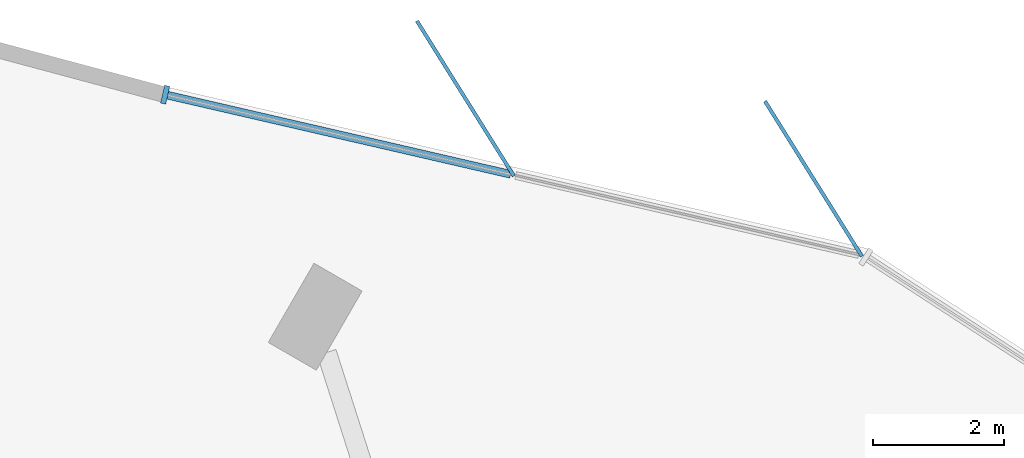
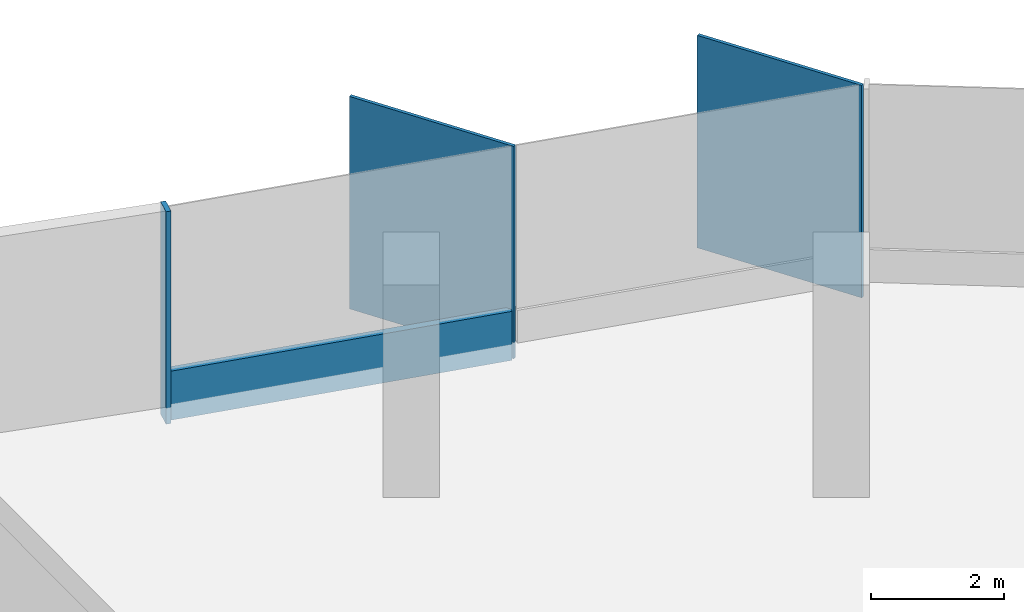
# One storey, part 6 of 13: 4 members, 1 element without a shape of its own.
"""IFC4 building model written with IfcOpenShell, lengths in metres."""

import ifcopenshell
import ifcopenshell.guid

model = None  # the IFC model being written
_history = None  # IfcOwnerHistory: only IFC2X3 demands one
_inside = {}  # id of a spatial element -> (the spatial element, [elements in it])
_under = {}  # id of a project, library or spatial element -> (it, [spatial elements below it])
_declared = {}  # id of a project -> (the project, [libraries it declares])
_typed = {}  # id of a type object -> (the type object, [elements of that type])
_made_of = {}  # id of a material, layer set ... -> (it, [elements and type objects made of it])


def new_model(schema):
    """Start an empty IFC model of exactly this schema.

    Asked for "IFC4X3", IfcOpenShell would pick the latest addendum, in which some entities
    have other attributes; the version numbers below select the first issue.
    IFC2X3 requires an IfcOwnerHistory on every rooted entity: one is made here for all.
    """
    global model, _history
    if schema == "IFC4X3":
        model = ifcopenshell.file(schema_version=(4, 3, 0, 0))
    else:
        model = ifcopenshell.file(schema=schema)
    _inside.clear()
    _under.clear()
    _declared.clear()
    _typed.clear()
    _made_of.clear()
    _history = None
    if model.schema == "IFC2X3":
        org = make("IfcOrganization", Name="unknown")
        user = make(
            "IfcPersonAndOrganization",
            ThePerson=make("IfcPerson", FamilyName="unknown"),
            TheOrganization=org,
        )
        app = make(
            "IfcApplication",
            ApplicationDeveloper=org,
            Version="unknown",
            ApplicationFullName="unknown",
            ApplicationIdentifier="unknown",
        )
        _history = make(
            "IfcOwnerHistory",
            OwningUser=user,
            OwningApplication=app,
            ChangeAction="ADDED",
            CreationDate=0,
        )
    return model


def make(cls, **values):
    """One entity of the class cls with the attributes given. An attribute that is None is left unset."""
    return model.create_entity(
        cls, **{name: value for name, value in values.items() if value is not None}
    )


def rooted(cls, **values):
    """An entity with a GlobalId (a new one), such as an element, a storey or a relation."""
    return make(cls, GlobalId=ifcopenshell.guid.new(), OwnerHistory=_history, **values)


def si_unit(unit_type, name, prefix=None):
    """IfcSIUnit, for example si_unit("LENGTHUNIT", "METRE", prefix="MILLI")."""
    return make("IfcSIUnit", UnitType=unit_type, Prefix=prefix, Name=name)


def assignment(units):
    """IfcUnitAssignment: the units of a project."""
    return None if units is None else make("IfcUnitAssignment", Units=units)


def point(xyz):
    """IfcCartesianPoint."""
    return None if xyz is None else make("IfcCartesianPoint", Coordinates=xyz)


def direction(xyz):
    """IfcDirection."""
    return None if xyz is None else make("IfcDirection", DirectionRatios=xyz)


def frame(location, z_axis=None, x_axis=None):
    """IfcAxis2Placement3D, a coordinate frame: its origin and axes. An axis left out is left unset."""
    return make(
        "IfcAxis2Placement3D",
        Location=point(location),
        Axis=direction(z_axis),
        RefDirection=direction(x_axis),
    )


def frame_2d(location, x_axis=None):
    """IfcAxis2Placement2D, a coordinate frame in the plane: its origin and x axis."""
    return make(
        "IfcAxis2Placement2D", Location=point(location), RefDirection=direction(x_axis)
    )


def origin():
    """The frame at (0, 0, 0) with its axes left unset."""
    return frame((0.0, 0.0, 0.0))


def origin_2d():
    """The frame at (0, 0) in the plane with its x axis left unset."""
    return frame_2d((0.0, 0.0))


def place(relative_to, where):
    """IfcLocalPlacement: puts the frame where relative to a parent placement (None: the world)."""
    return make(
        "IfcLocalPlacement", PlacementRelTo=relative_to, RelativePlacement=where
    )


def context(
    kind, dimensions, precision=None, world=None, true_north=None, identifier=None
):
    """IfcGeometricRepresentationContext, for example the 3D "Model" context."""
    return make(
        "IfcGeometricRepresentationContext",
        ContextIdentifier=identifier,
        ContextType=kind,
        CoordinateSpaceDimension=dimensions,
        Precision=precision,
        WorldCoordinateSystem=world,
        TrueNorth=true_north,
    )


def subcontext(parent, identifier, kind, view, scale=None):
    """IfcGeometricRepresentationSubContext, for example "Body" below "Model"."""
    return make(
        "IfcGeometricRepresentationSubContext",
        ContextIdentifier=identifier,
        ContextType=kind,
        ParentContext=parent,
        TargetScale=scale,
        TargetView=view,
    )


def project(units=None, contexts=None):
    """IfcProject with its units and contexts."""
    return rooted(
        "IfcProject",
        Name="project",
        RepresentationContexts=contexts,
        UnitsInContext=assignment(units),
    )


def spatial(cls, under=None, at=None, **own):
    """A site, building, storey or space (cls), placed at a placement, below another one or the project."""
    s = rooted(cls, ObjectPlacement=at, **own)
    if under is not None:
        _under.setdefault(under.id(), (under, []))[1].append(s)
    return s


def profile(cls, at=None, kind="AREA", **sizes):
    """A parametric profile (cls). Its sizes go by their IFC names, for example OverallWidth=200.0."""
    return make(cls, ProfileType=kind, Position=at, **sizes)


def rectangle(**sizes):
    """IfcRectangleProfileDef."""
    return profile("IfcRectangleProfileDef", **sizes)


def extrude(swept, where, along, depth):
    """IfcExtrudedAreaSolid: the profile swept, set in the frame where, extruded along a direction by depth."""
    return make(
        "IfcExtrudedAreaSolid",
        SweptArea=swept,
        Position=where,
        ExtrudedDirection=direction(along),
        Depth=depth,
    )


def shape(context_of_items, identifier, shape_type, items):
    """IfcShapeRepresentation: the items that make up one representation, for example the "Body"."""
    return make(
        "IfcShapeRepresentation",
        ContextOfItems=context_of_items,
        RepresentationIdentifier=identifier,
        RepresentationType=shape_type,
        Items=items,
    )


def material(Name=None, Category=None):
    """IfcMaterial."""
    return make("IfcMaterial", Name=Name, Category=Category)


def material_profile(
    of_material, cross_section, Name=None, Category=None, Priority=None
):
    """IfcMaterialProfile: a cross section and its material."""
    return make(
        "IfcMaterialProfile",
        Name=Name,
        Material=of_material,
        Profile=cross_section,
        Priority=Priority,
        Category=Category,
    )


def profile_set(profiles, Name=None, composite=None):
    """IfcMaterialProfileSet."""
    return make(
        "IfcMaterialProfileSet",
        Name=Name,
        MaterialProfiles=profiles,
        CompositeProfile=composite,
    )


def made_of(thing, what):
    """Note that an element or type object is made of a material, layer set ...; save() writes the relation."""
    if what is not None:
        _made_of.setdefault(what.id(), (what, []))[1].append(thing)
    return thing


def type_object(cls, material=None, **own):
    """A type object (cls), such as IfcWallType, which elements share."""
    return made_of(rooted(cls, **own), material)


def element(
    cls,
    number,
    at=None,
    inside=None,
    cuts=None,
    type_object=None,
    material=None,
    context=None,
    identifier="Body",
    shape_type=None,
    held_by="IfcProductDefinitionShape",
    body=None,
    shapes=None,
    **own,
):
    """One element of the class cls, such as IfcWall. Its Tag is "e" and its number.

    at: its placement. inside: the storey or other place that contains it. cuts: it is an
    opening in that element (IfcRelVoidsElement). A single representation is given by context,
    identifier, shape_type and body (its items); several are given by shapes. held_by: the class
    of the entity that holds the representations. save() writes the other relations.
    """
    e = rooted(cls, Tag="e%d" % number, ObjectPlacement=at, **own)
    if body is not None:
        shapes = [shape(context, identifier, shape_type, body)]
    if shapes is not None:
        e.Representation = make(held_by, Representations=shapes)
    if inside is not None:
        _inside.setdefault(inside.id(), (inside, []))[1].append(e)
    if cuts is not None:
        rooted(
            "IfcRelVoidsElement", RelatingBuildingElement=cuts, RelatedOpeningElement=e
        )
    if type_object is not None:
        _typed.setdefault(type_object.id(), (type_object, []))[1].append(e)
    return made_of(e, material)


def aggregate(whole, parts):
    """IfcRelAggregates: a whole, such as a stair, and the parts it consists of."""
    return rooted("IfcRelAggregates", RelatingObject=whole, RelatedObjects=parts)


def save(model, path):
    """Write the relations noted so far, then the file.

    IfcRelAggregates (storeys below a building ...), IfcRelContainedInSpatialStructure (elements
    in a storey), IfcRelDefinesByType, IfcRelAssociatesMaterial and IfcRelDeclares: one each for
    every whole, place, type object, material and project.
    """
    for whole, parts in _under.values():
        aggregate(whole, parts)
    for where, things in _inside.values():
        rooted(
            "IfcRelContainedInSpatialStructure",
            RelatedElements=things,
            RelatingStructure=where,
        )
    for kind, things in _typed.values():
        rooted("IfcRelDefinesByType", RelatedObjects=things, RelatingType=kind)
    for what, things in _made_of.values():
        rooted("IfcRelAssociatesMaterial", RelatedObjects=things, RelatingMaterial=what)
    for by, libraries in _declared.values():
        rooted("IfcRelDeclares", RelatingContext=by, RelatedDefinitions=libraries)
    model.write(path)


model = new_model("IFC4")

# Units and contexts
model_context = context("Model", 3, precision=1e-05, world=origin(), true_north=direction((0.0, 1.0)))
body_context = subcontext(model_context, "Body", "Model", "MODEL_VIEW")
ifc_project = project(units=[si_unit("LENGTHUNIT", "METRE"), si_unit("AREAUNIT", "SQUARE_METRE"), si_unit("VOLUMEUNIT", "CUBIC_METRE"), si_unit("PLANEANGLEUNIT", "RADIAN"), si_unit("MASSUNIT", "GRAM", prefix="KILO")], contexts=[model_context])

# Site, building, storey
site_placement = place(None, origin())
site = spatial("IfcSite", under=ifc_project, at=site_placement, CompositionType="ELEMENT")
building_placement = place(site_placement, origin())
building = spatial("IfcBuilding", under=site, at=building_placement, Name="Tanit Gate Tower", CompositionType="ELEMENT")
storey_placement = place(building_placement, frame((0.0, 0.0, 318.199951171875)))
storey = spatial("IfcBuildingStorey", under=building, at=storey_placement, Name="L71", CompositionType="ELEMENT", Elevation=318.199951171875)

# Curtain wall, members
ifc_material_1 = material(Name="Aluminium bronze anodised and glass", Category="aluminium")
curtain_wall_type = type_object("IfcCurtainWallType", Name="Curtain wall typical high", PredefinedType="NOTDEFINED", material=ifc_material_1)
curtain_wall_placement = place(storey_placement, origin())
curtain_wall = element("IfcCurtainWall", 1, at=curtain_wall_placement, inside=storey, type_object=curtain_wall_type, Name="Curtain wall L71 NE3", PredefinedType="NOTDEFINED")
ifc_material_2 = material(Name="Aluminium bronze anodised", Category="aluminium")
ifc_material_profile_1 = material_profile(ifc_material_2, rectangle(XDim=2.800048828125, YDim=0.055908203125, at=origin_2d()), Name="56x2800 bronze fin mullion")
ifc_profile_set_1 = profile_set([ifc_material_profile_1], Name="Aluminium bronze anodised")
member_type_1 = type_object("IfcMemberType", Name="FIN MULLION 56x2800 bronze", PredefinedType="MULLION", material=ifc_profile_set_1)
member_1_placement = place(storey_placement, frame((-1.688232421875, 31.22216796875, -0.300048828125), z_axis=(0.0, 0.0, 1.0), x_axis=(0.530209551206, -0.847866635628, 0.0)))
member_1 = element("IfcMember", 2, at=member_1_placement, type_object=member_type_1, Name="Fin mullion L71 NE3.1", PredefinedType="MULLION", context=body_context, shape_type="SweptSolid", body=[
    extrude(rectangle(XDim=2.800048828125, YDim=0.055908203125, at=origin_2d()), origin(), (0.0, 0.0, 1.0), 3.900146484375),
])
member_2_placement = place(storey_placement, frame((-7.017578125, 32.45068359375, -0.300048828125), z_axis=(0.0, 0.0, 1.0), x_axis=(0.530209551206, -0.847866635628, 0.0)))
member_2 = element("IfcMember", 3, at=member_2_placement, type_object=member_type_1, Name="Fin mullion L71 NE3.2", PredefinedType="MULLION", context=body_context, shape_type="SweptSolid", body=[
    extrude(rectangle(XDim=2.800048828125, YDim=0.055908203125, at=origin_2d()), origin(), (0.0, 0.0, 1.0), 3.900146484375),
])
ifc_material_3 = material(Name="Aluminium bronze anodised", Category="aluminium")
ifc_material_profile_2 = material_profile(ifc_material_3, rectangle(XDim=0.280029296875, YDim=0.080078125, at=origin_2d()), Name="80x280 bronze mullion")
ifc_profile_set_2 = profile_set([ifc_material_profile_2], Name="Aluminium bronze anodised")
member_type_2 = type_object("IfcMemberType", Name="Mullion 80x280 typical high", PredefinedType="MULLION", material=ifc_profile_set_2)
member_3_placement = place(storey_placement, frame((-11.615234375, 32.5087890625, -0.300048828125), z_axis=(0.0, 0.0, 1.0), x_axis=(-0.224617478487, -0.974447016701, 0.0)))
member_3 = element("IfcMember", 4, at=member_3_placement, type_object=member_type_2, Name="Mullion L71 NE3.3", PredefinedType="MULLION", context=body_context, shape_type="SweptSolid", body=[
    extrude(rectangle(XDim=0.280029296875, YDim=0.080078125, at=origin_2d()), origin(), (0.0, 0.0, 1.0), 3.900146484375),
])
ifc_material_4 = material(Name="Aluminium bronze anodised", Category="aluminium")
ifc_material_profile_3 = material_profile(ifc_material_4, rectangle(XDim=0.1201171875, YDim=0.89990234375, at=origin_2d()), Name="120x900 bronze transom")
ifc_profile_set_3 = profile_set([ifc_material_profile_3], Name="Aluminium bronze anodised")
member_type_3 = type_object("IfcMemberType", Name="Transom 120x900 typical high", PredefinedType="USERDEFINED", material=ifc_profile_set_3)
member_4_placement = place(storey_placement, frame((-6.324951171875, 31.289306640625, 0.150146484375), z_axis=(-0.974436988188, 0.22466098026, 0.0), x_axis=(-0.22466098026, -0.974436988188, 0.0)))
member_4 = element("IfcMember", 5, at=member_4_placement, type_object=member_type_3, Name="Transom L71 NE3.2", ObjectType="TRANSOM", PredefinedType="USERDEFINED", context=body_context, shape_type="SweptSolid", body=[
    extrude(rectangle(XDim=0.1201171875, YDim=0.89990234375, at=origin_2d()), origin(), (0.0, 0.0, 1.0), 5.388916015625),
])
aggregate(curtain_wall, [member_1, member_2, member_3, member_4])

save(model, "model.ifc")
